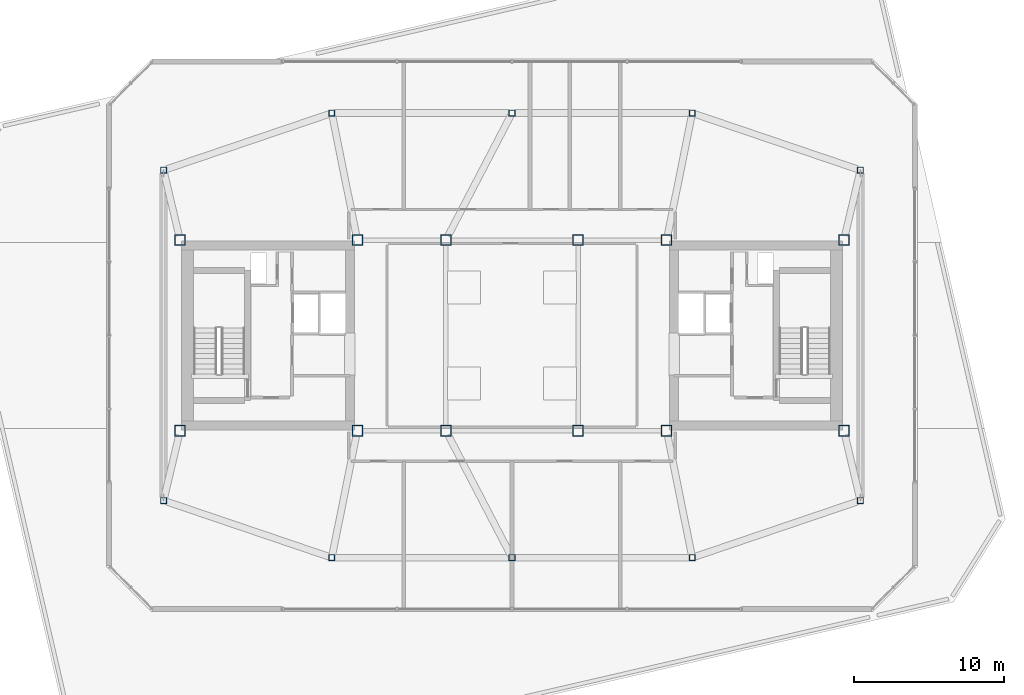
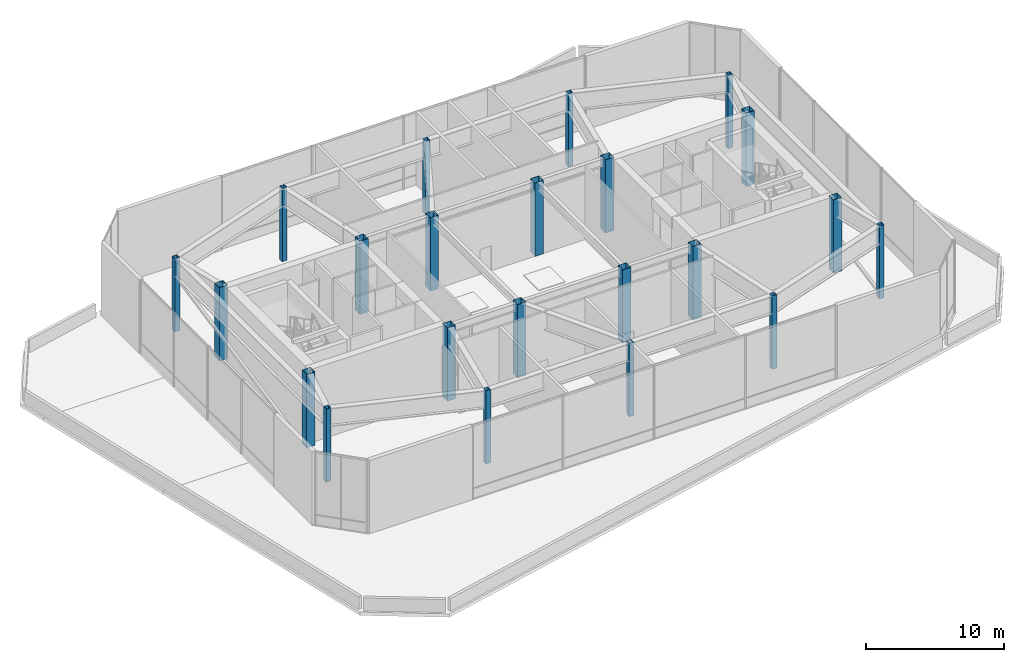
# One storey, part 1 of 25: 22 columns.
"""IFC4 building model written with IfcOpenShell, lengths in metres."""

from ifc_helpers import new_model, si_unit, direction, frame, origin, origin_2d, place, context, subcontext, project, spatial, hollow_rectangle, extrude, material, material_profile, profile_set, type_object, element, save


model = new_model("IFC4")

# Units and contexts
model_context = context("Model", 3, precision=1e-05, world=origin(), true_north=direction((0.0, 1.0)))
body_context = subcontext(model_context, "Body", "Model", "MODEL_VIEW")
ifc_project = project(units=[si_unit("LENGTHUNIT", "METRE"), si_unit("AREAUNIT", "SQUARE_METRE"), si_unit("VOLUMEUNIT", "CUBIC_METRE"), si_unit("PLANEANGLEUNIT", "RADIAN"), si_unit("MASSUNIT", "GRAM", prefix="KILO")], contexts=[model_context])

# Site, building, storey
site_placement = place(None, origin())
site = spatial("IfcSite", under=ifc_project, at=site_placement, CompositionType="ELEMENT")
building_placement = place(site_placement, origin())
building = spatial("IfcBuilding", under=site, at=building_placement, Name="Tavrogorsk Clinical Tower", CompositionType="ELEMENT")
storey_placement = place(building_placement, frame((0.0, 0.0, 333.0)))
storey = spatial("IfcBuildingStorey", under=building, at=storey_placement, Name="L78", CompositionType="ELEMENT", Elevation=333.0)

# Columns
ifc_material_1 = material(Name="Structural steel S390", Category="steel")
ifc_material_profile_1 = material_profile(ifc_material_1, hollow_rectangle(XDim=0.39990234375, YDim=0.39990234375, WallThickness=0.02001953125, at=origin_2d()), Name="SHS-400x400x20")
ifc_profile_set_1 = profile_set([ifc_material_profile_1], Name="Structural steel S390")
column_type_1 = type_object("IfcColumnType", Name="CrownCol_SHS400", PredefinedType="COLUMN", material=ifc_profile_set_1)
for number, where, z_axis, x_axis, name in (
    (1, (-23.199951171875, -11.0, 0.0), (0.0, 0.0, 1.0), (1.0, 0.0, 0.0), "L78 Crown Column CRN-01"),
    (2, (23.199951171875, -11.0, 0.0), (0.0, 0.0, 1.0), (1.0, 0.0, 0.0), "L78 Crown Column CRN-02"),
    (3, (23.199951171875, 11.0, 0.0), (0.0, 0.0, 1.0), (1.0, 0.0, 0.0), "L78 Crown Column CRN-03"),
    (4, (-23.199951171875, 11.0, 0.0), (0.0, 0.0, 1.0), (1.0, 0.0, 0.0), "L78 Crown Column CRN-04"),
    (5, (-12.0, -14.800048828125, 0.0), (0.0, 0.0, 1.0), (1.0, 0.0, 0.0), "L78 Crown Column CRN-05"),
    (6, (0.0, -14.800048828125, 0.0), (0.0, 0.0, 1.0), (1.0, 0.0, 0.0), "L78 Crown Column CRN-06"),
    (7, (12.0, -14.800048828125, 0.0), (0.0, 0.0, 1.0), (1.0, 0.0, 0.0), "L78 Crown Column CRN-07"),
    (8, (-12.0, 14.800048828125, 0.0), (0.0, 0.0, 1.0), (1.0, 0.0, 0.0), "L78 Crown Column CRN-08"),
    (9, (0.0, 14.800048828125, 0.0), (0.0, 0.0, 1.0), (1.0, 0.0, 0.0), "L78 Crown Column CRN-09"),
    (10, (12.0, 14.800048828125, 0.0), (0.0, 0.0, 1.0), (1.0, 0.0, 0.0), "L78 Crown Column CRN-10"),
):
    element("IfcColumn", number, at=place(storey_placement, frame(where, z_axis=z_axis, x_axis=x_axis)), inside=storey, type_object=column_type_1, Name=name, PredefinedType="COLUMN", context=body_context, shape_type="SweptSolid", body=[
        extrude(hollow_rectangle(XDim=0.39990234375, YDim=0.39990234375, WallThickness=0.02001953125, at=origin_2d()), origin(), (0.0, 0.0, 1.0), 6.5),
    ])
ifc_material_2 = material(Name="Structural steel S440", Category="steel")
ifc_material_profile_2 = material_profile(ifc_material_2, hollow_rectangle(XDim=0.699951171875, YDim=0.699951171875, WallThickness=0.031982421875, at=origin_2d()), Name="BOX-700x700x32")
ifc_profile_set_2 = profile_set([ifc_material_profile_2], Name="Structural steel S440")
column_type_2 = type_object("IfcColumnType", Name="MegaCol_BOX700", PredefinedType="COLUMN", material=ifc_profile_set_2)
for number, where, z_axis, x_axis, name in (
    (11, (-22.10009765625, -6.35009765625, 0.0), (0.0, 0.0, 1.0), (1.0, 0.0, 0.0), "L78 Mega Column MC-W1"),
    (12, (-22.10009765625, 6.35009765625, 0.0), (0.0, 0.0, 1.0), (1.0, 0.0, 0.0), "L78 Mega Column MC-W2"),
    (13, (-10.300048828125, -6.35009765625, 0.0), (0.0, 0.0, 1.0), (1.0, 0.0, 0.0), "L78 Mega Column MC-W3"),
    (14, (-10.300048828125, 6.35009765625, 0.0), (0.0, 0.0, 1.0), (1.0, 0.0, 0.0), "L78 Mega Column MC-W4"),
    (15, (10.300048828125, -6.35009765625, 0.0), (0.0, 0.0, 1.0), (1.0, 0.0, 0.0), "L78 Mega Column MC-E1"),
    (16, (10.300048828125, 6.35009765625, 0.0), (0.0, 0.0, 1.0), (1.0, 0.0, 0.0), "L78 Mega Column MC-E2"),
    (17, (22.10009765625, -6.35009765625, 0.0), (0.0, 0.0, 1.0), (1.0, 0.0, 0.0), "L78 Mega Column MC-E3"),
    (18, (22.10009765625, 6.35009765625, 0.0), (0.0, 0.0, 1.0), (1.0, 0.0, 0.0), "L78 Mega Column MC-E4"),
    (19, (-4.39990234375, -6.35009765625, 0.0), (0.0, 0.0, 1.0), (1.0, 0.0, 0.0), "L78 Mega Column MC-C1"),
    (20, (4.39990234375, -6.35009765625, 0.0), (0.0, 0.0, 1.0), (1.0, 0.0, 0.0), "L78 Mega Column MC-C2"),
    (21, (-4.39990234375, 6.35009765625, 0.0), (0.0, 0.0, 1.0), (1.0, 0.0, 0.0), "L78 Mega Column MC-C3"),
    (22, (4.39990234375, 6.35009765625, 0.0), (0.0, 0.0, 1.0), (1.0, 0.0, 0.0), "L78 Mega Column MC-C4"),
):
    element("IfcColumn", number, at=place(storey_placement, frame(where, z_axis=z_axis, x_axis=x_axis)), inside=storey, type_object=column_type_2, Name=name, PredefinedType="COLUMN", context=body_context, shape_type="SweptSolid", body=[
        extrude(hollow_rectangle(XDim=0.699951171875, YDim=0.699951171875, WallThickness=0.031982421875, at=origin_2d()), origin(), (0.0, 0.0, 1.0), 6.5),
    ])

save(model, "model.ifc")
